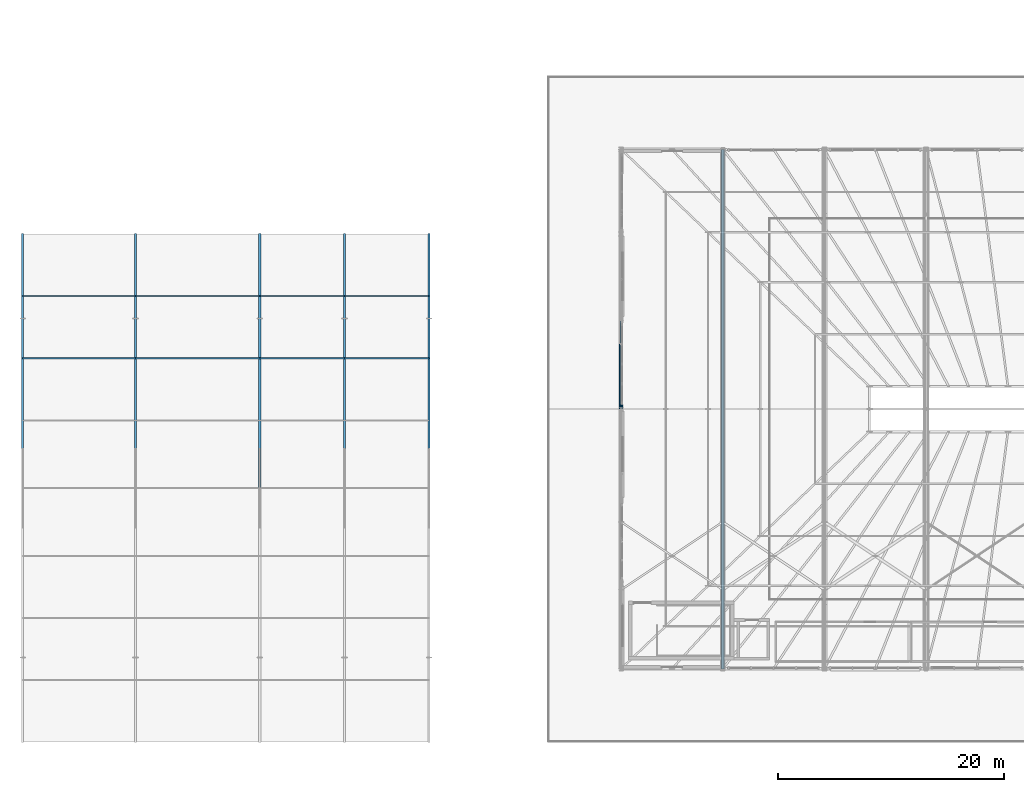
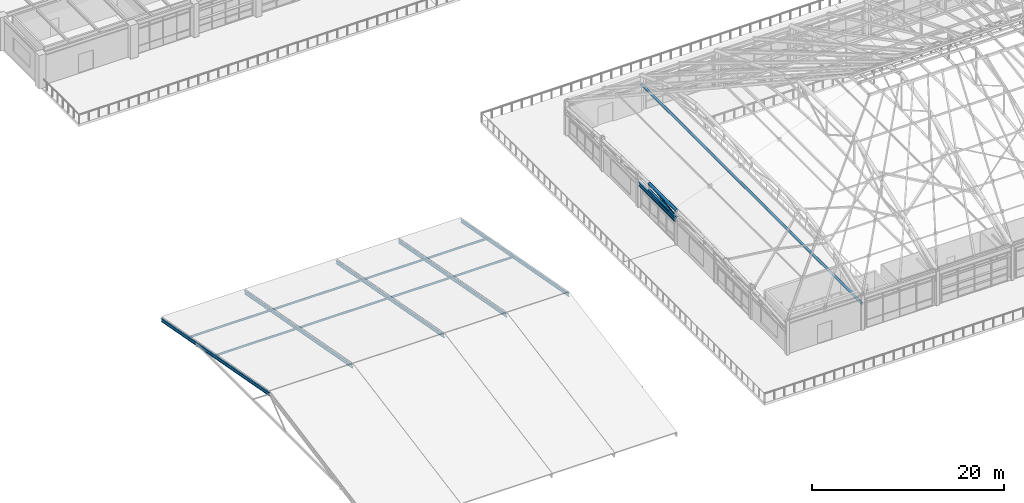
# One storey, part 15 of 168: 16 members, 2 beams.
"""IFC4 building model written with IfcOpenShell, lengths in metres."""

from ifc_helpers import new_model, si_unit, direction, frame, origin, origin_2d, place, context, subcontext, project, spatial, hollow_circle, i_section, extrude, material, material_profile, profile_set, type_object, element, save


model = new_model("IFC4")

# Units and contexts
model_context = context("Model", 3, precision=1e-05, world=origin(), true_north=direction((0.0, 1.0)))
body_context = subcontext(model_context, "Body", "Model", "MODEL_VIEW")
ifc_project = project(units=[si_unit("LENGTHUNIT", "METRE"), si_unit("AREAUNIT", "SQUARE_METRE"), si_unit("VOLUMEUNIT", "CUBIC_METRE"), si_unit("PLANEANGLEUNIT", "RADIAN"), si_unit("MASSUNIT", "GRAM", prefix="KILO"), si_unit("THERMODYNAMICTEMPERATUREUNIT", "KELVIN"), si_unit("POWERUNIT", "WATT")], contexts=[model_context])

# Site, building, storey
site_placement = place(None, origin())
site = spatial("IfcSite", under=ifc_project, at=site_placement, CompositionType="ELEMENT")
building_placement = place(site_placement, origin())
building = spatial("IfcBuilding", under=site, at=building_placement, Name="Tepalcoro Natatorium and Aquatics Centre", CompositionType="ELEMENT")
storey_placement = place(building_placement, frame((0.0, 0.0, 10.199951171875)))
storey = spatial("IfcBuildingStorey", under=building, at=storey_placement, Name="L02", CompositionType="ELEMENT", Elevation=10.199951171875)

# Beam
ifc_material_1 = material(Name="Terracotta Painted Hollow Steel ASTM A500 Grade C (Fy 345 MPa)", Category="masonry")
ifc_material_profile_1 = material_profile(ifc_material_1, hollow_circle(Radius=0.177978515625, WallThickness=0.01611328125, at=origin_2d()), Name="CHS356X16")
ifc_profile_set_1 = profile_set([ifc_material_profile_1], Name="Terracotta Painted Hollow Steel ASTM A500 Grade C (Fy 345 MPa)")
beam_type_1 = type_object("IfcBeamType", Name="AC_CHS356x16", PredefinedType="USERDEFINED", material=ifc_profile_set_1)
beam_1_placement = place(storey_placement, frame((53.0, 36.0, 4.300048828125), z_axis=(0.0, 0.999957556984, -0.009213263836), x_axis=(-1.0, 0.0, 0.0)))
element("IfcBeam", 1, at=beam_1_placement, inside=storey, type_object=beam_type_1, Name="V1 Gable Arched Truss Top Chord 1", ObjectType="ARCH CHORD", PredefinedType="USERDEFINED", context=body_context, shape_type="SweptSolid", body=[
    extrude(hollow_circle(Radius=0.177978515625, WallThickness=0.01611328125, at=origin_2d()), origin(), (0.0, 0.0, 1.0), 5.750244140625),
])

# Members
ifc_material_profile_2 = material_profile(ifc_material_1, hollow_circle(Radius=0.14892578125, WallThickness=0.01611328125, at=origin_2d()), Name="CHS298X16")
ifc_profile_set_2 = profile_set([ifc_material_profile_2], Name="Terracotta Painted Hollow Steel ASTM A500 Grade C (Fy 345 MPa)")
member_type_1 = type_object("IfcMemberType", Name="MB_AT_CHS298x16", PredefinedType="USERDEFINED", material=ifc_profile_set_2)
member_1_placement = place(storey_placement, frame((62.0, 13.0, 3.297119140625), z_axis=(0.0, 1.0, 0.0), x_axis=(-1.0, 0.0, 0.0)))
element("IfcMember", 2, at=member_1_placement, inside=storey, type_object=member_type_1, Name="V1 Tied-Arch Tension Tie 2", ObjectType="ARCH TIE", PredefinedType="USERDEFINED", context=body_context, shape_type="SweptSolid", body=[
    extrude(hollow_circle(Radius=0.14892578125, WallThickness=0.01611328125, at=origin_2d()), origin(), (0.0, 0.0, 1.0), 46.0),
])
ifc_material_profile_3 = material_profile(ifc_material_1, hollow_circle(Radius=0.136474609375, WallThickness=0.01611328125, at=origin_2d()), Name="CHS273X16")
ifc_profile_set_3 = profile_set([ifc_material_profile_3], Name="Terracotta Painted Hollow Steel ASTM A500 Grade C (Fy 345 MPa)")
member_type_2 = type_object("IfcMemberType", Name="MB_CH_CHS273x16", PredefinedType="CHORD", material=ifc_profile_set_3)
member_2_placement = place(storey_placement, frame((53.0, 36.0, 3.5), z_axis=(0.0, 0.999971119702, -0.007599984308), x_axis=(-1.0, 0.0, 0.0)))
element("IfcMember", 3, at=member_2_placement, inside=storey, type_object=member_type_2, Name="V1 Gable Arched Truss Bottom Chord 1", PredefinedType="CHORD", context=body_context, shape_type="SweptSolid", body=[
    extrude(hollow_circle(Radius=0.136474609375, WallThickness=0.01611328125, at=origin_2d()), origin(), (0.0, 0.0, 1.0), 5.750244140625),
])
ifc_material_2 = material(Name="Steel ASTM A992 Grade 50 (Fy 345 MPa)", Category="steel")
ifc_material_profile_4 = material_profile(ifc_material_2, i_section(OverallWidth=0.10205078125, OverallDepth=0.259033203125, WebThickness=0.006103515625, FlangeThickness=0.010009765625, FilletRadius=0.013916015625, at=origin_2d()), Name="W10X19")
ifc_profile_set_4 = profile_set([ifc_material_profile_4], Name="Steel ASTM A992 Grade 50 (Fy 345 MPa)")
member_type_3 = type_object("IfcMemberType", Name="MB_PR_W10x19", PredefinedType="PURLIN", material=ifc_profile_set_4)
member_3_placement = place(storey_placement, frame((0.0, 40.5, 1.673583984375), z_axis=(1.0, 0.0, 0.0), x_axis=(0.0, 1.0, 0.0)))
element("IfcMember", 4, at=member_3_placement, inside=storey, type_object=member_type_3, Name="V3 Pediment Roof Purlin", PredefinedType="PURLIN", context=body_context, shape_type="SweptSolid", body=[
    extrude(i_section(OverallWidth=0.10205078125, OverallDepth=0.259033203125, WebThickness=0.006103515625, FlangeThickness=0.010009765625, FilletRadius=0.013916015625, at=origin_2d()), origin(), (0.0, 0.0, 1.0), 10.0),
])
member_4_placement = place(storey_placement, frame((10.0, 40.5, 1.673583984375), z_axis=(1.0, 0.0, 0.0), x_axis=(0.0, 1.0, 0.0)))
element("IfcMember", 5, at=member_4_placement, inside=storey, type_object=member_type_3, Name="V3 Pediment Roof Purlin", PredefinedType="PURLIN", context=body_context, shape_type="SweptSolid", body=[
    extrude(i_section(OverallWidth=0.10205078125, OverallDepth=0.259033203125, WebThickness=0.006103515625, FlangeThickness=0.010009765625, FilletRadius=0.013916015625, at=origin_2d()), origin(), (0.0, 0.0, 1.0), 11.0),
])
for number, where, z_axis, x_axis, name in (
    (6, (21.0, 40.5, 1.673583984375), (1.0, 0.0, 0.0), (0.0, 1.0, 0.0), "V3 Pediment Roof Purlin"),
    (7, (28.5, 40.5, 1.673583984375), (1.0, 0.0, 0.0), (0.0, 1.0, 0.0), "V3 Pediment Roof Purlin"),
):
    element("IfcMember", number, at=place(storey_placement, frame(where, z_axis=z_axis, x_axis=x_axis)), inside=storey, type_object=member_type_3, Name=name, PredefinedType="PURLIN", context=body_context, shape_type="SweptSolid", body=[
        extrude(i_section(OverallWidth=0.10205078125, OverallDepth=0.259033203125, WebThickness=0.006103515625, FlangeThickness=0.010009765625, FilletRadius=0.013916015625, at=origin_2d()), origin(), (0.0, 0.0, 1.0), 7.5),
    ])
member_5_placement = place(storey_placement, frame((0.0, 46.0, 0.65185546875), z_axis=(1.0, 0.0, 0.0), x_axis=(0.0, 1.0, 0.0)))
element("IfcMember", 8, at=member_5_placement, inside=storey, type_object=member_type_3, Name="V3 Pediment Roof Purlin", PredefinedType="PURLIN", context=body_context, shape_type="SweptSolid", body=[
    extrude(i_section(OverallWidth=0.10205078125, OverallDepth=0.259033203125, WebThickness=0.006103515625, FlangeThickness=0.010009765625, FilletRadius=0.013916015625, at=origin_2d()), origin(), (0.0, 0.0, 1.0), 10.0),
])
member_6_placement = place(storey_placement, frame((10.0, 46.0, 0.65185546875), z_axis=(1.0, 0.0, 0.0), x_axis=(0.0, 1.0, 0.0)))
element("IfcMember", 9, at=member_6_placement, inside=storey, type_object=member_type_3, Name="V3 Pediment Roof Purlin", PredefinedType="PURLIN", context=body_context, shape_type="SweptSolid", body=[
    extrude(i_section(OverallWidth=0.10205078125, OverallDepth=0.259033203125, WebThickness=0.006103515625, FlangeThickness=0.010009765625, FilletRadius=0.013916015625, at=origin_2d()), origin(), (0.0, 0.0, 1.0), 11.0),
])
for number, where, z_axis, x_axis, name in (
    (10, (21.0, 46.0, 0.65185546875), (1.0, 0.0, 0.0), (0.0, 1.0, 0.0), "V3 Pediment Roof Purlin"),
    (11, (28.5, 46.0, 0.65185546875), (1.0, 0.0, 0.0), (0.0, 1.0, 0.0), "V3 Pediment Roof Purlin"),
):
    element("IfcMember", number, at=place(storey_placement, frame(where, z_axis=z_axis, x_axis=x_axis)), inside=storey, type_object=member_type_3, Name=name, PredefinedType="PURLIN", context=body_context, shape_type="SweptSolid", body=[
        extrude(i_section(OverallWidth=0.10205078125, OverallDepth=0.259033203125, WebThickness=0.006103515625, FlangeThickness=0.010009765625, FilletRadius=0.013916015625, at=origin_2d()), origin(), (0.0, 0.0, 1.0), 7.5),
    ])
ifc_material_profile_5 = material_profile(ifc_material_2, i_section(OverallWidth=0.177978515625, OverallDepth=0.403076171875, WebThickness=0.008056640625, FlangeThickness=0.010986328125, FilletRadius=0.013916015625, at=origin_2d()), Name="W16X36")
ifc_profile_set_5 = profile_set([ifc_material_profile_5], Name="Steel ASTM A992 Grade 50 (Fy 345 MPa)")
member_type_4 = type_object("IfcMemberType", Name="MB_RF_W16x36", PredefinedType="RAFTER", material=ifc_profile_set_5)
for number, where, z_axis, x_axis, name in (
    (12, (0.0, 51.5, -0.39990234375), (0.0, -0.983178064128, 0.182649648827), (1.0, 0.0, 0.0), "V3 Pediment Roof Truss Rafter North"),
    (13, (10.0, 51.5, -0.39990234375), (0.0, -0.983178064128, 0.182649648827), (1.0, 0.0, 0.0), "V3 Pediment Roof Truss Rafter North"),
    (14, (21.0, 51.5, -0.39990234375), (0.0, -0.983178064128, 0.182649648827), (1.0, 0.0, 0.0), "V3 Pediment Roof Truss Rafter North"),
    (15, (28.5, 51.5, -0.39990234375), (0.0, -0.983178064128, 0.182649648827), (1.0, 0.0, 0.0), "V3 Pediment Roof Truss Rafter North"),
    (16, (36.0, 51.5, -0.39990234375), (0.0, -0.983178064128, 0.182649648827), (1.0, 0.0, 0.0), "V3 Pediment Roof Truss Rafter North"),
):
    element("IfcMember", number, at=place(storey_placement, frame(where, z_axis=z_axis, x_axis=x_axis)), inside=storey, type_object=member_type_4, Name=name, PredefinedType="RAFTER", context=body_context, shape_type="SweptSolid", body=[
        extrude(i_section(OverallWidth=0.177978515625, OverallDepth=0.403076171875, WebThickness=0.008056640625, FlangeThickness=0.010986328125, FilletRadius=0.013916015625, at=origin_2d()), origin(), (0.0, 0.0, 1.0), 22.885009765625),
    ])
ifc_material_profile_6 = material_profile(ifc_material_1, hollow_circle(Radius=0.070068359375, WallThickness=0.008056640625, at=origin_2d()), Name="CHS140X8")
ifc_profile_set_6 = profile_set([ifc_material_profile_6], Name="Terracotta Painted Hollow Steel ASTM A500 Grade C (Fy 345 MPa)")
member_type_5 = type_object("IfcMemberType", Name="MB_ST_CHS140x8", PredefinedType="STRUT", material=ifc_profile_set_6)
member_7_placement = place(storey_placement, frame((53.0, 36.0, 3.5), z_axis=(0.0, 0.991665088265, 0.128842356067), x_axis=(-1.0, 0.0, 0.0)))
element("IfcMember", 17, at=member_7_placement, inside=storey, type_object=member_type_5, Name="V1 Arched Truss Web Diagonal 1", PredefinedType="STRUT", context=body_context, shape_type="SweptSolid", body=[
    extrude(hollow_circle(Radius=0.070068359375, WallThickness=0.008056640625, at=origin_2d()), origin(), (0.0, 0.0, 1.0), 5.79833984375),
])

# Beam
ifc_material_profile_7 = material_profile(ifc_material_2, i_section(OverallWidth=0.19091796875, OverallDepth=0.4599609375, WebThickness=0.010009765625, FlangeThickness=0.01611328125, FilletRadius=0.013916015625, at=origin_2d()), Name="W18X55")
ifc_profile_set_7 = profile_set([ifc_material_profile_7], Name="Steel ASTM A992 Grade 50 (Fy 345 MPa)")
beam_type_2 = type_object("IfcBeamType", Name="SP_W18x55", PredefinedType="SPANDREL", material=ifc_profile_set_7)
beam_2_placement = place(storey_placement, frame((53.0, 36.156982421875, 2.97509765625), z_axis=(0.0, 1.0, 0.0), x_axis=(-1.0, 0.0, 0.0)))
element("IfcBeam", 18, at=beam_2_placement, inside=storey, type_object=beam_type_2, Name="V1 L02 Grid Girder Y", PredefinedType="SPANDREL", context=body_context, shape_type="SweptSolid", body=[
    extrude(i_section(OverallWidth=0.19091796875, OverallDepth=0.4599609375, WebThickness=0.010009765625, FlangeThickness=0.01611328125, FilletRadius=0.013916015625, at=origin_2d()), origin(), (0.0, 0.0, 1.0), 7.679931640625),
])

save(model, "model.ifc")
